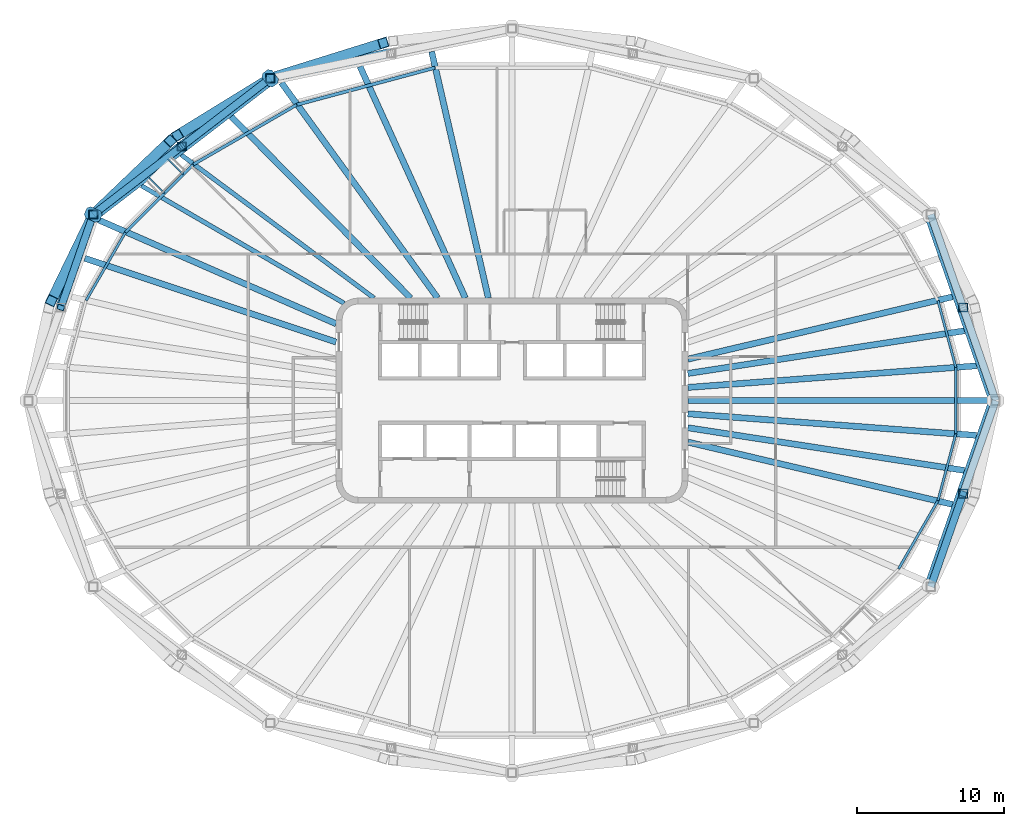
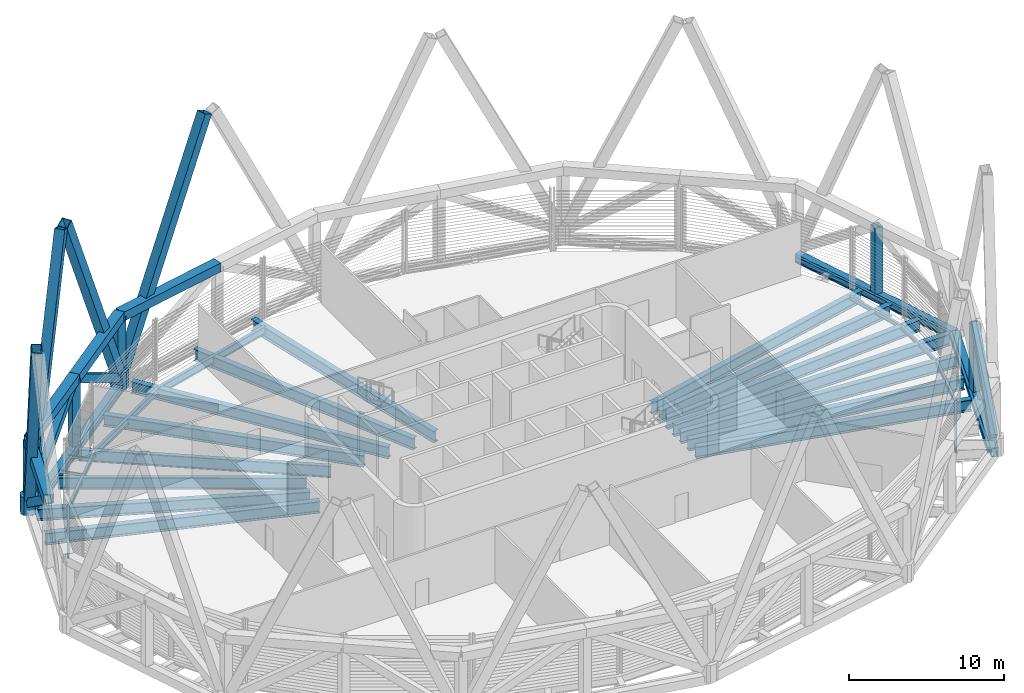
# One storey, part 3 of 17: 31 beams, 19 members.
"""IFC4 building model written with IfcOpenShell, lengths in metres."""

from ifc_helpers import new_model, si_unit, direction, frame, origin, origin_2d, place, context, subcontext, project, spatial, polyline, hollow_rectangle, i_section, outline, extrude, material, material_profile, profile_set, type_object, element, save


model = new_model("IFC4")

# Units and contexts
model_context = context("Model", 3, precision=1e-05, world=origin(), true_north=direction((0.0, 1.0)))
body_context = subcontext(model_context, "Body", "Model", "MODEL_VIEW")
ifc_project = project(units=[si_unit("LENGTHUNIT", "METRE"), si_unit("AREAUNIT", "SQUARE_METRE"), si_unit("VOLUMEUNIT", "CUBIC_METRE"), si_unit("PLANEANGLEUNIT", "RADIAN"), si_unit("MASSUNIT", "GRAM", prefix="KILO")], contexts=[model_context])

# Site, building, storey
site_placement = place(None, origin())
site = spatial("IfcSite", under=ifc_project, at=site_placement, CompositionType="ELEMENT")
building_placement = place(site_placement, origin())
building = spatial("IfcBuilding", under=site, at=building_placement, Name="Sahrelin Media Tower", CompositionType="ELEMENT")
storey_placement = place(building_placement, frame((0.0, 0.0, 249.60009765625)))
storey = spatial("IfcBuildingStorey", under=building, at=storey_placement, Name="L54", CompositionType="ELEMENT", Elevation=249.60009765625)

# Members
ifc_material_1 = material(Name="Steel S460", Category="steel")
ifc_material_profile_1 = material_profile(ifc_material_1, hollow_rectangle(XDim=0.699951171875, YDim=0.699951171875, WallThickness=0.044921875, at=origin_2d()), Name="Belt truss chord BC")
ifc_profile_set_1 = profile_set([ifc_material_profile_1], Name="Steel S460")
member_type_1 = type_object("IfcMemberType", Name="Belt truss chord BC", PredefinedType="CHORD", material=ifc_profile_set_1)
member_1_placement = place(storey_placement, frame((-8.25, 23.698486328125, 4.89990234375), z_axis=(-0.979389305257, -0.201981654484, 0.0), x_axis=(0.201981654484, -0.979389305257, 0.0)))
element("IfcMember", 1, at=member_1_placement, inside=storey, type_object=member_type_1, Name="Belt truss member BT12-03-T2", PredefinedType="CHORD", context=body_context, shape_type="SweptSolid", body=[
    extrude(hollow_rectangle(XDim=0.699951171875, YDim=0.699951171875, WallThickness=0.044921875, at=origin_2d()), origin(), (0.0, 0.0, 1.0), 8.423583984375),
])
for number, where, z_axis, x_axis, name in (
    (2, (-16.5, 21.9970703125, 4.89990234375), (-0.792429838397, -0.609963073651, 0.0), (0.609963073651, -0.792429838397, 0.0), "Belt truss member BT12-04-T1"),
    (3, (-22.539306640625, 17.348388671875, 4.89990234375), (-0.792457239739, -0.60992747371, 0.0), (0.60992747371, -0.792457239739, 0.0), "Belt truss member BT12-04-T2"),
):
    element("IfcMember", number, at=place(storey_placement, frame(where, z_axis=z_axis, x_axis=x_axis)), inside=storey, type_object=member_type_1, Name=name, PredefinedType="CHORD", context=body_context, shape_type="SweptSolid", body=[
        extrude(hollow_rectangle(XDim=0.699951171875, YDim=0.699951171875, WallThickness=0.044921875, at=origin_2d()), origin(), (0.0, 0.0, 1.0), 7.621337890625),
    ])
member_2_placement = place(storey_placement, frame((-28.578857421875, 12.699951171875, 4.89990234375), z_axis=(-0.328760034477, -0.944413489808, 0.0), x_axis=(0.944413489808, -0.328760034477, 0.0)))
element("IfcMember", 4, at=member_2_placement, inside=storey, type_object=member_type_1, Name="Belt truss member BT12-05-T1", PredefinedType="CHORD", context=body_context, shape_type="SweptSolid", body=[
    extrude(hollow_rectangle(XDim=0.699951171875, YDim=0.699951171875, WallThickness=0.044921875, at=origin_2d()), origin(), (0.0, 0.0, 1.0), 6.7236328125),
])
ifc_material_profile_2 = material_profile(ifc_material_1, hollow_rectangle(XDim=0.5, YDim=0.60009765625, WallThickness=0.030029296875, at=origin_2d()), Name="Belt truss diagonal BD")
ifc_profile_set_2 = profile_set([ifc_material_profile_2], Name="Steel S460")
member_type_2 = type_object("IfcMemberType", Name="Belt truss diagonal BD", PredefinedType="BRACE", material=ifc_profile_set_2)
member_3_placement = place(storey_placement, frame((-16.8369140625, 21.73779296875, 0.273193359375), z_axis=(-0.666545033767, -0.513071591476, 0.54080981868), x_axis=(0.609968142805, -0.792425936453, 0.0)))
element("IfcMember", 5, at=member_3_placement, inside=storey, type_object=member_type_2, Name="Belt truss member BT12-04-X1", PredefinedType="BRACE", context=body_context, shape_type="SweptSolid", body=[
    extrude(hollow_rectangle(XDim=0.5, YDim=0.60009765625, WallThickness=0.030029296875, at=origin_2d()), origin(), (0.0, 0.0, 1.0), 8.55517578125),
])
member_4_placement = place(storey_placement, frame((-28.19580078125, 12.994873046875, 0.310791015625), z_axis=(0.666582719866, 0.513034790481, 0.540798281554), x_axis=(-0.609919013166, 0.79246375146, 0.0)))
element("IfcMember", 6, at=member_4_placement, inside=storey, type_object=member_type_2, Name="Belt truss member BT12-04-X2", PredefinedType="BRACE", context=body_context, shape_type="SweptSolid", body=[
    extrude(hollow_rectangle(XDim=0.5, YDim=0.60009765625, WallThickness=0.030029296875, at=origin_2d()), origin(), (0.0, 0.0, 1.0), 8.48583984375),
])
for number, where, z_axis, x_axis, name in (
    (7, (-28.718994140625, 12.297119140625, 0.310791015625), (-0.265701703145, -0.763234408833, 0.588961664388), (0.944408891997, -0.328773242093, 0.0), "Belt truss member BT12-05-X1"),
    (8, (28.718994140625, -12.297119140625, 0.310791015625), (0.265701703145, 0.763234408833, 0.588961664388), (-0.944408891997, 0.328773242093, 0.0), "Belt truss member BT12-11-X1"),
):
    element("IfcMember", number, at=place(storey_placement, frame(where, z_axis=z_axis, x_axis=x_axis)), inside=storey, type_object=member_type_2, Name=name, PredefinedType="BRACE", context=body_context, shape_type="SweptSolid", body=[
        extrude(hollow_rectangle(XDim=0.5, YDim=0.60009765625, WallThickness=0.030029296875, at=origin_2d()), origin(), (0.0, 0.0, 1.0), 7.791748046875),
    ])
ifc_material_profile_3 = material_profile(ifc_material_1, hollow_rectangle(XDim=0.60009765625, YDim=0.60009765625, WallThickness=0.034912109375, at=origin_2d()), Name="Belt truss post BP")
ifc_profile_set_3 = profile_set([ifc_material_profile_3], Name="Steel S460")
member_type_3 = type_object("IfcMemberType", Name="Belt truss post BP", PredefinedType="POST", material=ifc_profile_set_3)
member_5_placement = place(storey_placement, frame((30.789306640625, 6.35009765625, -0.320068359375), z_axis=(0.0, 0.0, 1.0), x_axis=(1.0, 0.0, 0.0)))
element("IfcMember", 9, at=member_5_placement, inside=storey, type_object=member_type_3, Name="Belt truss member BT12-00-P1", PredefinedType="POST", context=body_context, shape_type="SweptSolid", body=[
    extrude(hollow_rectangle(XDim=0.60009765625, YDim=0.60009765625, WallThickness=0.034912109375, at=origin_2d()), origin(), (0.0, 0.0, 1.0), 5.219970703125),
])
member_6_placement = place(storey_placement, frame((-16.5, 21.9970703125, 0.699951171875), z_axis=(0.0, 0.0, 1.0), x_axis=(1.0, 0.0, 0.0)))
element("IfcMember", 10, at=member_6_placement, inside=storey, type_object=member_type_3, Name="Belt truss member BT12-04-P0", PredefinedType="POST", context=body_context, shape_type="SweptSolid", body=[
    extrude(hollow_rectangle(XDim=0.60009765625, YDim=0.60009765625, WallThickness=0.034912109375, at=origin_2d()), origin(), (0.0, 0.0, 1.0), 4.199951171875),
])
member_7_placement = place(storey_placement, frame((-22.539306640625, 17.348388671875, -0.320068359375), z_axis=(0.0, 0.0, 1.0), x_axis=(1.0, 0.0, 0.0)))
element("IfcMember", 11, at=member_7_placement, inside=storey, type_object=member_type_3, Name="Belt truss member BT12-04-P1", PredefinedType="POST", context=body_context, shape_type="SweptSolid", body=[
    extrude(hollow_rectangle(XDim=0.60009765625, YDim=0.60009765625, WallThickness=0.034912109375, at=origin_2d()), origin(), (0.0, 0.0, 1.0), 5.219970703125),
])
member_8_placement = place(storey_placement, frame((-28.578857421875, 12.699951171875, 0.699951171875), z_axis=(0.0, 0.0, 1.0), x_axis=(1.0, 0.0, 0.0)))
element("IfcMember", 12, at=member_8_placement, inside=storey, type_object=member_type_3, Name="Belt truss member BT12-05-P0", PredefinedType="POST", context=body_context, shape_type="SweptSolid", body=[
    extrude(hollow_rectangle(XDim=0.60009765625, YDim=0.60009765625, WallThickness=0.034912109375, at=origin_2d()), origin(), (0.0, 0.0, 1.0), 4.199951171875),
])
member_9_placement = place(storey_placement, frame((30.789306640625, -6.35009765625, -0.320068359375), z_axis=(0.0, 0.0, 1.0), x_axis=(1.0, 0.0, 0.0)))
element("IfcMember", 13, at=member_9_placement, inside=storey, type_object=member_type_3, Name="Belt truss member BT12-11-P1", PredefinedType="POST", context=body_context, shape_type="SweptSolid", body=[
    extrude(hollow_rectangle(XDim=0.60009765625, YDim=0.60009765625, WallThickness=0.034912109375, at=origin_2d()), origin(), (0.0, 0.0, 1.0), 5.219970703125),
])
ifc_material_profile_4 = material_profile(ifc_material_1, hollow_rectangle(XDim=0.699951171875, YDim=0.699951171875, WallThickness=0.0400390625, at=origin_2d()), Name="Diagrid diagonal DG7")
ifc_profile_set_4 = profile_set([ifc_material_profile_4], Name="Steel S460")
member_type_4 = type_object("IfcMemberType", Name="Diagrid diagonal DG7", PredefinedType="BRACE", material=ifc_profile_set_4)
member_10_placement = place(storey_placement, frame((-16.17626953125, 22.097900390625, 0.699951171875), z_axis=(0.416167398768, 0.129759635405, 0.899981740494), x_axis=(-0.297663275597, 0.954670924644, 0.0)))
element("IfcMember", 14, at=member_10_placement, inside=storey, type_object=member_type_4, Name="Diagrid diagonal D12-07", PredefinedType="BRACE", context=body_context, shape_type="SweptSolid", body=[
    extrude(hollow_rectangle(XDim=0.699951171875, YDim=0.699951171875, WallThickness=0.0400390625, at=origin_2d()), origin(), (0.0, 0.0, 1.0), 17.778076171875),
])
member_11_placement = place(storey_placement, frame((-16.765380859375, 21.833740234375, 0.699951171875), z_axis=(-0.346360805513, -0.213035733311, 0.913591795463), x_axis=(0.523902311709, -0.851778356021, 0.0)))
element("IfcMember", 15, at=member_11_placement, inside=storey, type_object=member_type_4, Name="Diagrid diagonal D12-08", PredefinedType="BRACE", context=body_context, shape_type="SweptSolid", body=[
    extrude(hollow_rectangle(XDim=0.699951171875, YDim=0.699951171875, WallThickness=0.0400390625, at=origin_2d()), origin(), (0.0, 0.0, 1.0), 17.51318359375),
])
member_12_placement = place(storey_placement, frame((-28.3583984375, 12.910888671875, 0.699951171875), z_axis=(0.288838753904, 0.276039709891, 0.916719287899), x_axis=(-0.690907792114, 0.722942890411, 0.0)))
element("IfcMember", 16, at=member_12_placement, inside=storey, type_object=member_type_4, Name="Diagrid diagonal D12-09", PredefinedType="BRACE", context=body_context, shape_type="SweptSolid", body=[
    extrude(hollow_rectangle(XDim=0.699951171875, YDim=0.699951171875, WallThickness=0.0400390625, at=origin_2d()), origin(), (0.0, 0.0, 1.0), 17.45361328125),
])
member_13_placement = place(storey_placement, frame((-28.698486328125, 12.453125, 0.699951171875), z_axis=(-0.159013041273, -0.328227240841, 0.931118537607), x_axis=(0.899951232615, -0.435990572047, 0.0)))
element("IfcMember", 17, at=member_13_placement, inside=storey, type_object=member_type_4, Name="Diagrid diagonal D12-10", PredefinedType="BRACE", context=body_context, shape_type="SweptSolid", body=[
    extrude(hollow_rectangle(XDim=0.699951171875, YDim=0.699951171875, WallThickness=0.0400390625, at=origin_2d()), origin(), (0.0, 0.0, 1.0), 17.18359375),
])
ifc_material_profile_5 = material_profile(ifc_material_1, outline(polyline([(0.375, -0.425048828125), (0.574951171875, -0.22509765625), (0.574951171875, 0.22509765625), (0.375, 0.425048828125), (-0.375, 0.425048828125), (-0.574951171875, 0.22509765625), (-0.574951171875, -0.22509765625), (-0.375, -0.425048828125), (0.375, -0.425048828125)])), Name="Diagrid node block 1150")
ifc_profile_set_5 = profile_set([ifc_material_profile_5], Name="Steel S460")
member_type_5 = type_object("IfcMemberType", Name="Diagrid node block 1150", PredefinedType="USERDEFINED", material=ifc_profile_set_5)
for number, where, z_axis, x_axis, name in (
    (18, (-16.5, 21.9970703125, -0.7001953125), (0.0, 0.0, 1.0), (-0.600051693363, 0.799961227368, 0.0), "Diagrid node N12-04"),
    (19, (-28.578857421875, 12.699951171875, -0.7001953125), (0.0, 0.0, 1.0), (-0.913831317054, 0.40609398416, 0.0), "Diagrid node N12-05"),
):
    element("IfcMember", number, at=place(storey_placement, frame(where, z_axis=z_axis, x_axis=x_axis)), inside=storey, type_object=member_type_5, Name=name, ObjectType="NODE", PredefinedType="USERDEFINED", context=body_context, shape_type="SweptSolid", body=[
        extrude(outline(polyline([(0.375, -0.425048828125), (0.574951171875, -0.22509765625), (0.574951171875, 0.22509765625), (0.375, 0.425048828125), (-0.375, 0.425048828125), (-0.574951171875, 0.22509765625), (-0.574951171875, -0.22509765625), (-0.375, -0.425048828125), (0.375, -0.425048828125)])), origin(), (0.0, 0.0, 1.0), 1.400146484375),
    ])

# Beams
ifc_material_profile_6 = material_profile(ifc_material_1, hollow_rectangle(XDim=0.5, YDim=0.699951171875, WallThickness=0.034912109375, at=origin_2d()), Name="Diagrid ring beam RB2")
ifc_profile_set_6 = profile_set([ifc_material_profile_6], Name="Steel S460")
beam_type_1 = type_object("IfcBeamType", Name="Diagrid ring beam RB2", PredefinedType="BEAM", material=ifc_profile_set_6)
beam_1_placement = place(storey_placement, frame((33.0, 0.0, -0.650146484375), z_axis=(-0.328770590399, 0.944409815117, 0.0), x_axis=(-0.944409815117, -0.328770590399, 0.0)))
element("IfcBeam", 20, at=beam_1_placement, inside=storey, type_object=beam_type_1, Name="Diagrid ring beam RB12-00", PredefinedType="BEAM", context=body_context, shape_type="SweptSolid", body=[
    extrude(hollow_rectangle(XDim=0.5, YDim=0.699951171875, WallThickness=0.034912109375, at=origin_2d()), origin(), (0.0, 0.0, 1.0), 13.447509765625),
])
beam_2_placement = place(storey_placement, frame((-16.5, 21.9970703125, -0.650146484375), z_axis=(-0.792443539308, -0.609945273782, 0.0), x_axis=(0.609945273782, -0.792443539308, 0.0)))
element("IfcBeam", 21, at=beam_2_placement, inside=storey, type_object=beam_type_1, Name="Diagrid ring beam RB12-04", PredefinedType="BEAM", context=body_context, shape_type="SweptSolid", body=[
    extrude(hollow_rectangle(XDim=0.5, YDim=0.699951171875, WallThickness=0.034912109375, at=origin_2d()), origin(), (0.0, 0.0, 1.0), 15.242431640625),
])
beam_3_placement = place(storey_placement, frame((28.578857421875, -12.699951171875, -0.650146484375), z_axis=(0.328770590399, 0.944409815117, 0.0), x_axis=(-0.944409815117, 0.328770590399, 0.0)))
element("IfcBeam", 22, at=beam_3_placement, inside=storey, type_object=beam_type_1, Name="Diagrid ring beam RB12-11", PredefinedType="BEAM", context=body_context, shape_type="SweptSolid", body=[
    extrude(hollow_rectangle(XDim=0.5, YDim=0.699951171875, WallThickness=0.034912109375, at=origin_2d()), origin(), (0.0, 0.0, 1.0), 13.447509765625),
])
ifc_material_2 = material(Name="Steel S355", Category="steel")
ifc_material_profile_7 = material_profile(ifc_material_2, i_section(OverallWidth=0.1650390625, OverallDepth=0.303466796875, WebThickness=0.006103515625, FlangeThickness=0.01025390625, FilletRadius=0.0087890625, at=origin_2d()), Name="UB 305x165x40")
ifc_profile_set_7 = profile_set([ifc_material_profile_7], Name="Steel S355")
beam_type_2 = type_object("IfcBeamType", Name="Edge beam EB2", PredefinedType="BEAM", material=ifc_profile_set_7)
beam_4_placement = place(storey_placement, frame((30.29248046875, 2.2451171875, -0.451904296875), z_axis=(0.0, -1.0, 0.0), x_axis=(1.0, 0.0, 0.0)))
element("IfcBeam", 23, at=beam_4_placement, inside=storey, type_object=beam_type_2, Name="Edge beam L54-01", PredefinedType="BEAM", context=body_context, shape_type="SweptSolid", body=[
    extrude(i_section(OverallWidth=0.1650390625, OverallDepth=0.303466796875, WebThickness=0.006103515625, FlangeThickness=0.01025390625, FilletRadius=0.0087890625, at=origin_2d()), origin(), (0.0, 0.0, 1.0), 4.490234375),
])
for number, where, z_axis, x_axis, name in (
    (24, (30.288818359375, -2.273681640625, -0.451904296875), (-0.258823527778, -0.965924625149, 0.0), (0.965924625149, -0.258823527778, 0.0), "Edge beam L54-02"),
    (25, (29.07275390625, 6.81201171875, -0.451904296875), (0.258823527778, -0.965924625149, 0.0), (0.965924625149, 0.258823527778, 0.0), "Edge beam L54-24"),
):
    element("IfcBeam", number, at=place(storey_placement, frame(where, z_axis=z_axis, x_axis=x_axis)), inside=storey, type_object=beam_type_2, Name=name, PredefinedType="BEAM", context=body_context, shape_type="SweptSolid", body=[
        extrude(i_section(OverallWidth=0.1650390625, OverallDepth=0.303466796875, WebThickness=0.006103515625, FlangeThickness=0.01025390625, FilletRadius=0.0087890625, at=origin_2d()), origin(), (0.0, 0.0, 1.0), 4.698486328125),
    ])
ifc_material_profile_8 = material_profile(ifc_material_2, i_section(OverallWidth=0.17138671875, OverallDepth=0.35498046875, WebThickness=0.00732421875, FlangeThickness=0.011474609375, FilletRadius=0.01025390625, at=origin_2d()), Name="UB 356x171x51")
ifc_profile_set_8 = profile_set([ifc_material_profile_8], Name="Steel S355")
beam_type_3 = type_object("IfcBeamType", Name="Edge beam EB3", PredefinedType="BEAM", material=ifc_profile_set_8)
for number, where, z_axis, x_axis, name in (
    (26, (29.061767578125, -6.838623046875, -0.4775390625), (-0.500004049237, -0.866023065944, 0.0), (0.866023065944, -0.500004049237, 0.0), "Edge beam L54-03"),
    (27, (-29.061767578125, 6.838623046875, -0.4775390625), (0.500004049237, 0.866023065944, 0.0), (-0.866023065944, 0.500004049237, 0.0), "Edge beam L54-15"),
):
    element("IfcBeam", number, at=place(storey_placement, frame(where, z_axis=z_axis, x_axis=x_axis)), inside=storey, type_object=beam_type_3, Name=name, PredefinedType="BEAM", context=body_context, shape_type="SweptSolid", body=[
        extrude(i_section(OverallWidth=0.17138671875, OverallDepth=0.35498046875, WebThickness=0.00732421875, FlangeThickness=0.011474609375, FilletRadius=0.01025390625, at=origin_2d()), origin(), (0.0, 0.0, 1.0), 5.353515625),
    ])
ifc_material_profile_9 = material_profile(ifc_material_2, i_section(OverallWidth=0.177978515625, OverallDepth=0.406494140625, WebThickness=0.0078125, FlangeThickness=0.0126953125, FilletRadius=0.01025390625, at=origin_2d()), Name="UB 406x178x60")
ifc_profile_set_9 = profile_set([ifc_material_profile_9], Name="Steel S355")
beam_type_4 = type_object("IfcBeamType", Name="Edge beam EB4", PredefinedType="BEAM", material=ifc_profile_set_9)
beam_5_placement = place(storey_placement, frame((-26.367431640625, 11.497802734375, -0.50341796875), z_axis=(0.707106781187, 0.707106781187, 0.0), x_axis=(-0.707106781187, 0.707106781187, 0.0)))
element("IfcBeam", 28, at=beam_5_placement, inside=storey, type_object=beam_type_4, Name="Edge beam L54-16", PredefinedType="BEAM", context=body_context, shape_type="SweptSolid", body=[
    extrude(i_section(OverallWidth=0.177978515625, OverallDepth=0.406494140625, WebThickness=0.0078125, FlangeThickness=0.0126953125, FilletRadius=0.01025390625, at=origin_2d()), origin(), (0.0, 0.0, 1.0), 6.513916015625),
])
ifc_material_profile_10 = material_profile(ifc_material_2, i_section(OverallWidth=0.208740234375, OverallDepth=0.5283203125, WebThickness=0.009521484375, FlangeThickness=0.01318359375, FilletRadius=0.0126953125, at=origin_2d()), Name="UB 533x210x82")
ifc_profile_set_10 = profile_set([ifc_material_profile_10], Name="Steel S355")
beam_type_5 = type_object("IfcBeamType", Name="Edge beam EB6", PredefinedType="BEAM", material=ifc_profile_set_10)
beam_6_placement = place(storey_placement, frame((-21.738525390625, 16.121337890625, -0.564208984375), z_axis=(0.866020013879, 0.500009335473, 0.0), x_axis=(-0.500009335473, 0.866020013879, 0.0)))
element("IfcBeam", 29, at=beam_6_placement, inside=storey, type_object=beam_type_5, Name="Edge beam L54-17", PredefinedType="BEAM", context=body_context, shape_type="SweptSolid", body=[
    extrude(i_section(OverallWidth=0.208740234375, OverallDepth=0.5283203125, WebThickness=0.009521484375, FlangeThickness=0.01318359375, FilletRadius=0.0126953125, at=origin_2d()), origin(), (0.0, 0.0, 1.0), 8.127685546875),
])
ifc_material_profile_11 = material_profile(ifc_material_2, i_section(OverallWidth=0.2275390625, OverallDepth=0.6025390625, WebThickness=0.010498046875, FlangeThickness=0.014892578125, FilletRadius=0.0126953125, at=origin_2d()), Name="UB 610x229x101")
ifc_profile_set_11 = profile_set([ifc_material_profile_11], Name="Steel S355")
beam_type_6 = type_object("IfcBeamType", Name="Edge beam EB7", PredefinedType="BEAM", material=ifc_profile_set_11)
beam_7_placement = place(storey_placement, frame((-14.673095703125, 20.1962890625, -0.601318359375), z_axis=(0.965929040414, 0.258807049527, 0.0), x_axis=(-0.258807049527, 0.965929040414, 0.0)))
element("IfcBeam", 30, at=beam_7_placement, inside=storey, type_object=beam_type_6, Name="Edge beam L54-18", PredefinedType="BEAM", context=body_context, shape_type="SweptSolid", body=[
    extrude(i_section(OverallWidth=0.2275390625, OverallDepth=0.6025390625, WebThickness=0.010498046875, FlangeThickness=0.014892578125, FilletRadius=0.0126953125, at=origin_2d()), origin(), (0.0, 0.0, 1.0), 9.74462890625),
])
ifc_material_profile_12 = material_profile(ifc_material_2, hollow_rectangle(XDim=0.10009765625, YDim=0.199951171875, WallThickness=0.008056640625, at=origin_2d()), Name="RHS 200x100x8")
ifc_profile_set_12 = profile_set([ifc_material_profile_12], Name="Steel S355")
beam_type_7 = type_object("IfcBeamType", Name="Platform support beam", PredefinedType="BEAM", material=ifc_profile_set_12)
for number, where, z_axis, x_axis, name in (
    (31, (-22.44091796875, 15.429931640625, -0.400146484375), (-0.707106781187, 0.707106781187, 0.0), (-0.707106781187, -0.707106781187, 0.0), "Platform support beam L54-09"),
    (32, (-23.713623046875, 14.1572265625, -0.400146484375), (-0.707106781187, 0.707106781187, 0.0), (-0.707106781187, -0.707106781187, 0.0), "Platform support beam L54-09"),
):
    element("IfcBeam", number, at=place(storey_placement, frame(where, z_axis=z_axis, x_axis=x_axis)), inside=storey, type_object=beam_type_7, Name=name, PredefinedType="BEAM", context=body_context, shape_type="SweptSolid", body=[
        extrude(hollow_rectangle(XDim=0.10009765625, YDim=0.199951171875, WallThickness=0.008056640625, at=origin_2d()), origin(), (0.0, 0.0, 1.0), 1.4609375),
    ])
ifc_material_profile_13 = material_profile(ifc_material_2, i_section(OverallWidth=0.30322265625, OverallDepth=0.903076171875, WebThickness=0.01513671875, FlangeThickness=0.020263671875, FilletRadius=0.01904296875, at=origin_2d()), Name="UB 914x305x201")
ifc_profile_set_13 = profile_set([ifc_material_profile_13], Name="Steel S355")
beam_type_8 = type_object("IfcBeamType", Name="Radial primary beam PB11", PredefinedType="BEAM", material=ifc_profile_set_13)
beam_8_placement = place(storey_placement, frame((-9.418701171875, 7.0, -0.751708984375), z_axis=(-0.802609662198, 0.596504593567, 0.0), x_axis=(-0.596504593567, -0.802609662198, 0.0)))
element("IfcBeam", 33, at=beam_8_placement, inside=storey, type_object=beam_type_8, Name="Radial beam L54-09", PredefinedType="BEAM", context=body_context, shape_type="SweptSolid", body=[
    extrude(i_section(OverallWidth=0.30322265625, OverallDepth=0.903076171875, WebThickness=0.01513671875, FlangeThickness=0.020263671875, FilletRadius=0.01904296875, at=origin_2d()), origin(), (0.0, 0.0, 1.0), 16.376220703125),
])
ifc_material_profile_14 = material_profile(ifc_material_2, i_section(OverallWidth=0.41845703125, OverallDepth=0.911865234375, WebThickness=0.019287109375, FlangeThickness=0.031982421875, FilletRadius=0.024169921875, at=origin_2d()), Name="UB 914x419x343")
ifc_profile_set_14 = profile_set([ifc_material_profile_14], Name="Steel S355")
beam_type_9 = type_object("IfcBeamType", Name="Radial primary beam PB12", PredefinedType="BEAM", material=ifc_profile_set_14)
beam_9_placement = place(storey_placement, frame((12.0, 0.8984375, -0.756103515625), z_axis=(0.99720798925, 0.074674133249, 0.0), x_axis=(-0.074674133249, 0.99720798925, 0.0)))
element("IfcBeam", 34, at=beam_9_placement, inside=storey, type_object=beam_type_9, Name="Radial beam L54-01", PredefinedType="BEAM", context=body_context, shape_type="SweptSolid", body=[
    extrude(i_section(OverallWidth=0.41845703125, OverallDepth=0.911865234375, WebThickness=0.019287109375, FlangeThickness=0.031982421875, FilletRadius=0.024169921875, at=origin_2d()), origin(), (0.0, 0.0, 1.0), 19.757080078125),
])
beam_10_placement = place(storey_placement, frame((12.0, 2.828125, -0.756103515625), z_axis=(0.973330655531, 0.229406702177, 0.0), x_axis=(-0.229406702177, 0.973330655531, 0.0)))
element("IfcBeam", 35, at=beam_10_placement, inside=storey, type_object=beam_type_9, Name="Radial beam L54-02", PredefinedType="BEAM", context=body_context, shape_type="SweptSolid", body=[
    extrude(i_section(OverallWidth=0.41845703125, OverallDepth=0.911865234375, WebThickness=0.019287109375, FlangeThickness=0.031982421875, FilletRadius=0.024169921875, at=origin_2d()), origin(), (0.0, 0.0, 1.0), 18.556884765625),
])
beam_11_placement = place(storey_placement, frame((-1.61181640625, 7.0, -0.756103515625), z_axis=(-0.224368617712, 0.974504347546, 0.0), x_axis=(-0.974504347546, -0.224368617712, 0.0)))
element("IfcBeam", 36, at=beam_11_placement, inside=storey, type_object=beam_type_9, Name="Radial beam L54-07", PredefinedType="BEAM", context=body_context, shape_type="SweptSolid", body=[
    extrude(i_section(OverallWidth=0.41845703125, OverallDepth=0.911865234375, WebThickness=0.019287109375, FlangeThickness=0.031982421875, FilletRadius=0.024169921875, at=origin_2d()), origin(), (0.0, 0.0, 1.0), 17.25439453125),
])
beam_12_placement = place(storey_placement, frame((-5.076416015625, 7.0, -0.756103515625), z_axis=(-0.58707992954, 0.809528971891, 0.0), x_axis=(-0.809528971891, -0.58707992954, 0.0)))
element("IfcBeam", 37, at=beam_12_placement, inside=storey, type_object=beam_type_9, Name="Radial beam L54-08", PredefinedType="BEAM", context=body_context, shape_type="SweptSolid", body=[
    extrude(i_section(OverallWidth=0.41845703125, OverallDepth=0.911865234375, WebThickness=0.019287109375, FlangeThickness=0.031982421875, FilletRadius=0.024169921875, at=origin_2d()), origin(), (0.0, 0.0, 1.0), 18.158447265625),
])
beam_13_placement = place(storey_placement, frame((-12.0, 5.243896484375, -0.756103515625), z_axis=(-0.916323308001, 0.40043925284, 0.0), x_axis=(-0.40043925284, -0.916323308001, 0.0)))
element("IfcBeam", 38, at=beam_13_placement, inside=storey, type_object=beam_type_9, Name="Radial beam L54-10", PredefinedType="BEAM", context=body_context, shape_type="SweptSolid", body=[
    extrude(i_section(OverallWidth=0.41845703125, OverallDepth=0.911865234375, WebThickness=0.019287109375, FlangeThickness=0.031982421875, FilletRadius=0.024169921875, at=origin_2d()), origin(), (0.0, 0.0, 1.0), 17.715576171875),
])
beam_14_placement = place(storey_placement, frame((12.0, -2.828125, -0.756103515625), z_axis=(0.973330655531, -0.229406702177, 0.0), x_axis=(0.229406702177, 0.973330655531, 0.0)))
element("IfcBeam", 39, at=beam_14_placement, inside=storey, type_object=beam_type_9, Name="Radial beam L54-23", PredefinedType="BEAM", context=body_context, shape_type="SweptSolid", body=[
    extrude(i_section(OverallWidth=0.41845703125, OverallDepth=0.911865234375, WebThickness=0.019287109375, FlangeThickness=0.031982421875, FilletRadius=0.024169921875, at=origin_2d()), origin(), (0.0, 0.0, 1.0), 18.556884765625),
])
beam_15_placement = place(storey_placement, frame((12.0, -0.8984375, -0.756103515625), z_axis=(0.99720798925, -0.074674133249, 0.0), x_axis=(0.074674133249, 0.99720798925, 0.0)))
element("IfcBeam", 40, at=beam_15_placement, inside=storey, type_object=beam_type_9, Name="Radial beam L54-24", PredefinedType="BEAM", context=body_context, shape_type="SweptSolid", body=[
    extrude(i_section(OverallWidth=0.41845703125, OverallDepth=0.911865234375, WebThickness=0.019287109375, FlangeThickness=0.031982421875, FilletRadius=0.024169921875, at=origin_2d()), origin(), (0.0, 0.0, 1.0), 19.757080078125),
])
ifc_material_profile_15 = material_profile(ifc_material_2, i_section(OverallWidth=0.30322265625, OverallDepth=0.903076171875, WebThickness=0.01513671875, FlangeThickness=0.020263671875, FilletRadius=0.01904296875, at=origin_2d()), Name="UB 914x305x201")
ifc_profile_set_15 = profile_set([ifc_material_profile_15], Name="Steel S355")
beam_type_10 = type_object("IfcBeamType", Name="Radial secondary beam SB11", PredefinedType="BEAM", material=ifc_profile_set_15)
beam_16_placement = place(storey_placement, frame((-11.45361328125, 6.642822265625, -0.751708984375), z_axis=(-0.865043244327, 0.501697304602, 0.0), x_axis=(-0.501697304602, -0.865043244327, 0.0)))
element("IfcBeam", 41, at=beam_16_placement, inside=storey, type_object=beam_type_10, Name="Secondary beam L54-09", PredefinedType="BEAM", context=body_context, shape_type="SweptSolid", body=[
    extrude(i_section(OverallWidth=0.30322265625, OverallDepth=0.903076171875, WebThickness=0.01513671875, FlangeThickness=0.020263671875, FilletRadius=0.01904296875, at=origin_2d()), origin(), (0.0, 0.0, 1.0), 15.99658203125),
])
ifc_material_profile_16 = material_profile(ifc_material_2, i_section(OverallWidth=0.41845703125, OverallDepth=0.911865234375, WebThickness=0.019287109375, FlangeThickness=0.031982421875, FilletRadius=0.024169921875, at=origin_2d()), Name="UB 914x419x343")
ifc_profile_set_16 = profile_set([ifc_material_profile_16], Name="Steel S355")
beam_type_11 = type_object("IfcBeamType", Name="Radial secondary beam SB12", PredefinedType="BEAM", material=ifc_profile_set_16)
beam_17_placement = place(storey_placement, frame((12.0, 1.851806640625, -0.756103515625), z_axis=(0.988304490037, 0.152493393212, 0.0), x_axis=(-0.152493393212, 0.988304490037, 0.0)))
element("IfcBeam", 42, at=beam_17_placement, inside=storey, type_object=beam_type_11, Name="Secondary beam L54-01", PredefinedType="BEAM", context=body_context, shape_type="SweptSolid", body=[
    extrude(i_section(OverallWidth=0.41845703125, OverallDepth=0.911865234375, WebThickness=0.019287109375, FlangeThickness=0.031982421875, FilletRadius=0.024169921875, at=origin_2d()), origin(), (0.0, 0.0, 1.0), 19.093505859375),
])
beam_18_placement = place(storey_placement, frame((-3.183837890625, 7.0, -0.756103515625), z_axis=(-0.414027507963, 0.910264369648, 0.0), x_axis=(-0.910264369648, -0.414027507963, 0.0)))
element("IfcBeam", 43, at=beam_18_placement, inside=storey, type_object=beam_type_11, Name="Secondary beam L54-07", PredefinedType="BEAM", context=body_context, shape_type="SweptSolid", body=[
    extrude(i_section(OverallWidth=0.41845703125, OverallDepth=0.911865234375, WebThickness=0.019287109375, FlangeThickness=0.031982421875, FilletRadius=0.024169921875, at=origin_2d()), origin(), (0.0, 0.0, 1.0), 17.364013671875),
])
beam_19_placement = place(storey_placement, frame((-6.918701171875, 7.0, -0.756103515625), z_axis=(-0.70295221278, 0.711237081815, 0.0), x_axis=(-0.711237081815, -0.70295221278, 0.0)))
element("IfcBeam", 44, at=beam_19_placement, inside=storey, type_object=beam_type_11, Name="Secondary beam L54-08", PredefinedType="BEAM", context=body_context, shape_type="SweptSolid", body=[
    extrude(i_section(OverallWidth=0.41845703125, OverallDepth=0.911865234375, WebThickness=0.019287109375, FlangeThickness=0.031982421875, FilletRadius=0.024169921875, at=origin_2d()), origin(), (0.0, 0.0, 1.0), 17.415771484375),
])
beam_20_placement = place(storey_placement, frame((-12.0, 3.999755859375, -0.756103515625), z_axis=(-0.948694103899, 0.316195346624, 0.0), x_axis=(-0.316195346624, -0.948694103899, 0.0)))
element("IfcBeam", 45, at=beam_20_placement, inside=storey, type_object=beam_type_11, Name="Secondary beam L54-10", PredefinedType="BEAM", context=body_context, shape_type="SweptSolid", body=[
    extrude(i_section(OverallWidth=0.41845703125, OverallDepth=0.911865234375, WebThickness=0.019287109375, FlangeThickness=0.031982421875, FilletRadius=0.024169921875, at=origin_2d()), origin(), (0.0, 0.0, 1.0), 18.07373046875),
])
beam_21_placement = place(storey_placement, frame((12.0, -1.851806640625, -0.756103515625), z_axis=(0.988304490037, -0.152493393212, 0.0), x_axis=(0.152493393212, 0.988304490037, 0.0)))
element("IfcBeam", 46, at=beam_21_placement, inside=storey, type_object=beam_type_11, Name="Secondary beam L54-23", PredefinedType="BEAM", context=body_context, shape_type="SweptSolid", body=[
    extrude(i_section(OverallWidth=0.41845703125, OverallDepth=0.911865234375, WebThickness=0.019287109375, FlangeThickness=0.031982421875, FilletRadius=0.024169921875, at=origin_2d()), origin(), (0.0, 0.0, 1.0), 19.093505859375),
])
beam_22_placement = place(storey_placement, frame((12.0, 0.0, -0.756103515625), z_axis=(1.0, 0.0, 0.0), x_axis=(0.0, 1.0, 0.0)))
element("IfcBeam", 47, at=beam_22_placement, inside=storey, type_object=beam_type_11, Name="Secondary beam L54-24", PredefinedType="BEAM", context=body_context, shape_type="SweptSolid", body=[
    extrude(i_section(OverallWidth=0.41845703125, OverallDepth=0.911865234375, WebThickness=0.019287109375, FlangeThickness=0.031982421875, FilletRadius=0.024169921875, at=origin_2d()), origin(), (0.0, 0.0, 1.0), 20.5283203125),
])
ifc_material_profile_17 = material_profile(ifc_material_2, i_section(OverallWidth=0.1904296875, OverallDepth=0.45703125, WebThickness=0.009033203125, FlangeThickness=0.014404296875, FilletRadius=0.01025390625, at=origin_2d()), Name="UB 457x191x74")
ifc_profile_set_17 = profile_set([ifc_material_profile_17], Name="Steel S355")
beam_type_12 = type_object("IfcBeamType", Name="Tie chord TC5", PredefinedType="BEAM", material=ifc_profile_set_17)
beam_23_placement = place(storey_placement, frame((32.629150390625, 0.0, -0.528564453125), z_axis=(-0.328769858698, -0.944410069838, 0.0), x_axis=(0.944410069838, -0.328769858698, 0.0)))
element("IfcBeam", 48, at=beam_23_placement, inside=storey, type_object=beam_type_12, Name="Tie chord L54-01", PredefinedType="BEAM", context=body_context, shape_type="SweptSolid", body=[
    extrude(i_section(OverallWidth=0.1904296875, OverallDepth=0.45703125, WebThickness=0.009033203125, FlangeThickness=0.014404296875, FilletRadius=0.01025390625, at=origin_2d()), origin(), (0.0, 0.0, 1.0), 13.220947265625),
])
beam_24_placement = place(storey_placement, frame((-28.282470703125, 12.486083984375, -0.528564453125), z_axis=(0.792438909029, 0.609951289413, 0.0), x_axis=(-0.609951289413, 0.792438909029, 0.0)))
element("IfcBeam", 49, at=beam_24_placement, inside=storey, type_object=beam_type_12, Name="Tie chord L54-08", PredefinedType="BEAM", context=body_context, shape_type="SweptSolid", body=[
    extrude(i_section(OverallWidth=0.1904296875, OverallDepth=0.45703125, WebThickness=0.009033203125, FlangeThickness=0.014404296875, FilletRadius=0.01025390625, at=origin_2d()), origin(), (0.0, 0.0, 1.0), 15.057373046875),
])
beam_25_placement = place(storey_placement, frame((28.282470703125, 12.486083984375, -0.528564453125), z_axis=(0.328769858698, -0.944410069838, 0.0), x_axis=(0.944410069838, 0.328769858698, 0.0)))
element("IfcBeam", 50, at=beam_25_placement, inside=storey, type_object=beam_type_12, Name="Tie chord L54-12", PredefinedType="BEAM", context=body_context, shape_type="SweptSolid", body=[
    extrude(i_section(OverallWidth=0.1904296875, OverallDepth=0.45703125, WebThickness=0.009033203125, FlangeThickness=0.014404296875, FilletRadius=0.01025390625, at=origin_2d()), origin(), (0.0, 0.0, 1.0), 13.220947265625),
])

save(model, "model.ifc")
